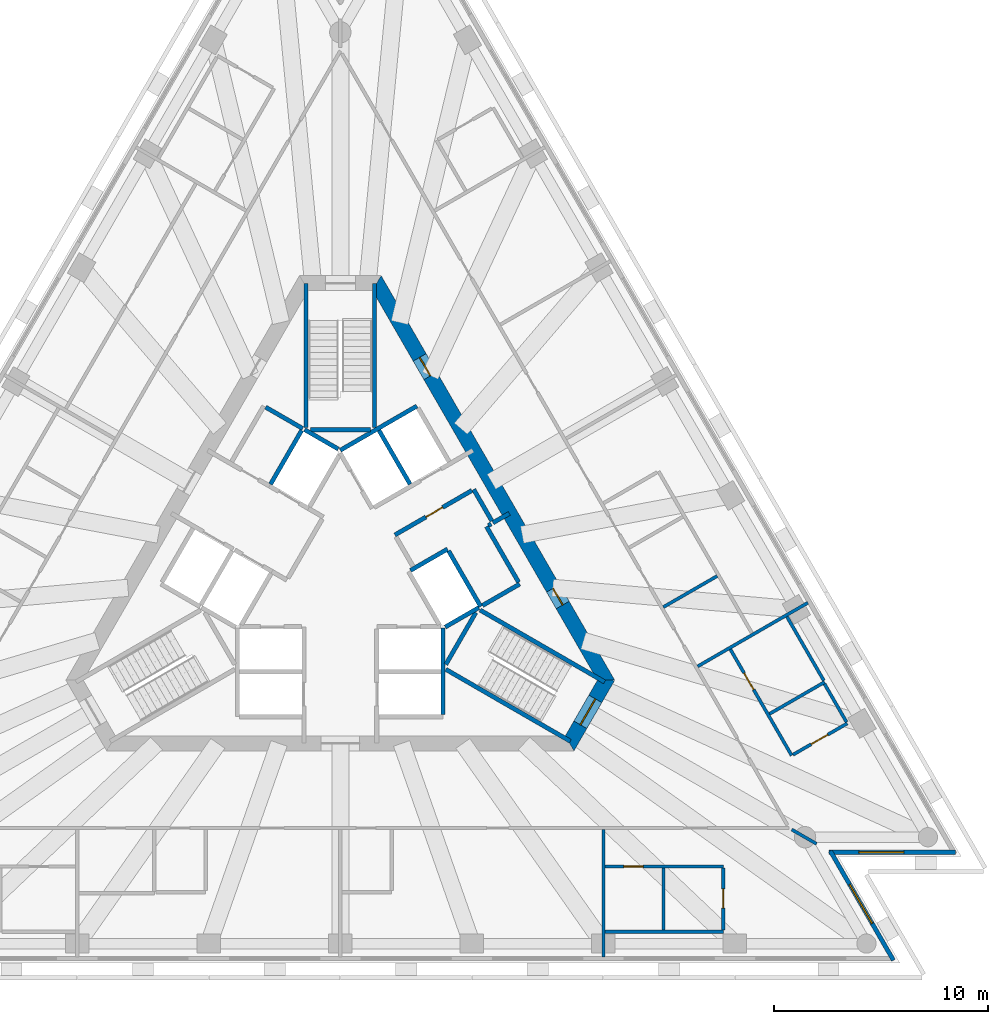
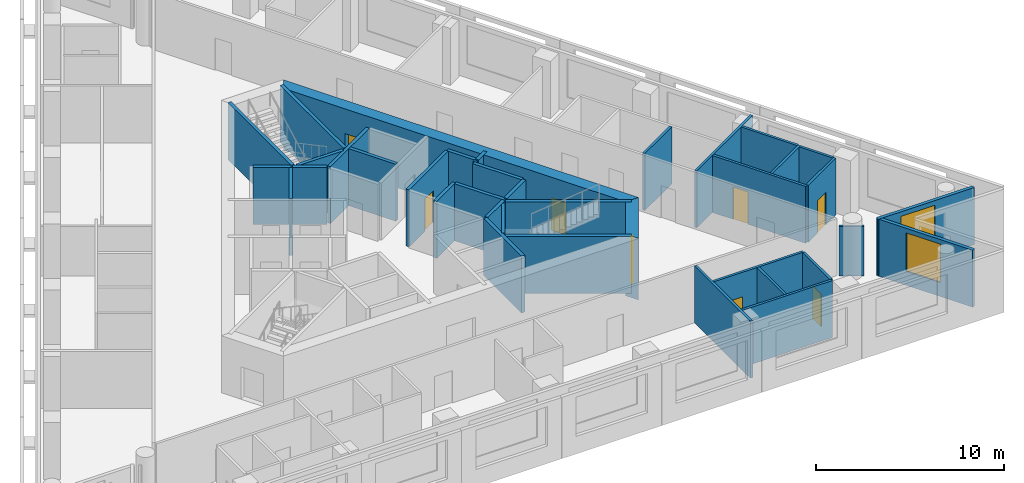
# One storey, part 5 of 9: 38 walls, 8 doors, 2 windows, 10 openings.
"""IFC4 building model written with IfcOpenShell, lengths in metres."""

from ifc_helpers import new_model, si_unit, direction, frame, frame_2d, origin, place, context, subcontext, project, spatial, polyline, rectangle, outline, extrude, material, layer, layer_set, layer_usage, type_object, element, fill, save


model = new_model("IFC4")

# Units and contexts
model_context = context("Model", 3, precision=1e-05, world=origin(), true_north=direction((0.0, 1.0)))
body_context = subcontext(model_context, "Body", "Model", "MODEL_VIEW")
ifc_project = project(units=[si_unit("LENGTHUNIT", "METRE"), si_unit("AREAUNIT", "SQUARE_METRE"), si_unit("VOLUMEUNIT", "CUBIC_METRE"), si_unit("PLANEANGLEUNIT", "RADIAN"), si_unit("MASSUNIT", "GRAM", prefix="KILO")], contexts=[model_context])

# Site, building, storey
site_placement = place(None, origin())
site = spatial("IfcSite", under=ifc_project, at=site_placement, CompositionType="ELEMENT")
building_placement = place(site_placement, origin())
building = spatial("IfcBuilding", under=site, at=building_placement, Name="Triada Interchange Tower", CompositionType="ELEMENT")
storey_placement = place(building_placement, frame((0.0, 0.0, 211.300048828125)))
storey = spatial("IfcBuildingStorey", under=building, at=storey_placement, Name="L49", CompositionType="ELEMENT", Elevation=211.300048828125)

# Walls
ifc_material_1 = material(Name="Concrete C30/37", Category="concrete")
ifc_layer_1 = layer(ifc_material_1, 0.199951171875)
ifc_layer_set_1 = layer_set([ifc_layer_1], Name="CORE WALL 200 EI 120")
wall_type_1 = type_object("IfcWallType", Name="CORE WALL 200 EI 120", PredefinedType="SOLIDWALL", material=ifc_layer_set_1)
wall_1_placement = place(storey_placement, frame((-0.001953125, 5.541015625, 0.0), z_axis=(0.0, 0.0, 1.0), x_axis=(0.86600155993, 0.500041296494, 0.0)))
element("IfcWall", 1, at=wall_1_placement, inside=storey, type_object=wall_type_1, Name="Wall L47 63", PredefinedType="SOLIDWALL", context=body_context, shape_type="SweptSolid", body=[
    extrude(rectangle(XDim=4.131591796875, YDim=0.199951171875, at=frame_2d((2.06591796875, 0.0))), origin(), (0.0, 0.0, 1.0), 3.699951171875),
])
wall_2_placement = place(storey_placement, frame((4.800048828125, -6.800048828125, 0.0), z_axis=(0.0, 0.0, 1.0), x_axis=(0.0, 1.0, 0.0)))
element("IfcWall", 2, at=wall_2_placement, inside=storey, type_object=wall_type_1, Name="Wall L47 68", PredefinedType="SOLIDWALL", context=body_context, shape_type="SweptSolid", body=[
    extrude(rectangle(XDim=4.029052734375, YDim=0.199951171875, at=frame_2d((2.0146484375, 0.0))), origin(), (0.0, 0.0, 1.0), 3.699951171875),
])
wall_3_placement = place(storey_placement, frame((3.278076171875, -0.071044921875, 0.0), z_axis=(0.0, 0.0, 1.0), x_axis=(0.865855657918, 0.500293893279, 0.0)))
element("IfcWall", 3, at=wall_3_placement, inside=storey, type_object=wall_type_1, Name="Wall L47 69", PredefinedType="SOLIDWALL", context=body_context, shape_type="SweptSolid", body=[
    extrude(rectangle(XDim=1.996826171875, YDim=0.199951171875, at=frame_2d((0.99853515625, 0.0))), origin(), (0.0, 0.0, 1.0), 3.699951171875),
])
wall_4_placement = place(storey_placement, frame((7.12890625, 2.153076171875, 0.0), z_axis=(0.0, 0.0, 1.0), x_axis=(0.866083962871, 0.499898558967, 0.0)))
element("IfcWall", 4, at=wall_4_placement, inside=storey, type_object=wall_type_1, Name="Wall L47 70", PredefinedType="SOLIDWALL", context=body_context, shape_type="SweptSolid", body=[
    extrude(rectangle(XDim=0.880126953125, YDim=0.199951171875, at=frame_2d((0.43994140625, 0.0))), origin(), (0.0, 0.0, 1.0), 3.699951171875),
])
wall_5_placement = place(storey_placement, frame((1.806884765625, 6.469970703125, 0.0), z_axis=(0.0, 0.0, 1.0), x_axis=(0.50012328804, -0.865954211699, 0.0)))
element("IfcWall", 5, at=wall_5_placement, inside=storey, type_object=wall_type_1, Name="Wall L47 72", PredefinedType="SOLIDWALL", context=body_context, shape_type="SweptSolid", body=[
    extrude(rectangle(XDim=2.899658203125, YDim=0.199951171875, at=frame_2d((1.44970703125, 0.0))), origin(), (0.0, 0.0, 1.0), 3.699951171875),
])
wall_6_placement = place(storey_placement, frame((5.056884765625, 0.841064453125, 0.0), z_axis=(0.0, 0.0, 1.0), x_axis=(0.499990139034, -0.866031096941, 0.0)))
element("IfcWall", 6, at=wall_6_placement, inside=storey, type_object=wall_type_1, Name="Wall L47 73", PredefinedType="SOLIDWALL", context=body_context, shape_type="SweptSolid", body=[
    extrude(rectangle(XDim=3.0, YDim=0.199951171875, at=frame_2d((1.5, 0.0))), origin(), (0.0, 0.0, 1.0), 3.699951171875),
])
wall_7_placement = place(storey_placement, frame((4.89990234375, -2.714111328125, 0.0), z_axis=(0.0, 0.0, 1.0), x_axis=(0.865846928409, 0.500309001083, 0.0)))
element("IfcWall", 7, at=wall_7_placement, inside=storey, type_object=wall_type_1, Name="Wall L47 74", PredefinedType="SOLIDWALL", context=body_context, shape_type="SweptSolid", body=[
    extrude(rectangle(XDim=1.813232421875, YDim=0.199951171875, at=frame_2d((0.90673828125, 0.0))), origin(), (0.0, 0.0, 1.0), 3.699951171875),
])
wall_8_placement = place(storey_placement, frame((6.22900390625, 3.7119140625, 0.0), z_axis=(0.0, 0.0, 1.0), x_axis=(0.499875724984, -0.86609714211, 0.0)))
element("IfcWall", 8, at=wall_8_placement, inside=storey, type_object=wall_type_1, Name="Wall L47 75", PredefinedType="SOLIDWALL", context=body_context, shape_type="SweptSolid", body=[
    extrude(rectangle(XDim=1.70068359375, YDim=0.199951171875, at=frame_2d((0.850341796875, 0.0))), origin(), (0.0, 0.0, 1.0), 3.699951171875),
])

# Wall, opening, door
wall_9_placement = place(storey_placement, frame((2.548095703125, 1.5869140625, 0.0), z_axis=(0.0, 0.0, 1.0), x_axis=(0.866004344652, 0.500036473714, 0.0)))
wall_9 = element("IfcWall", 9, at=wall_9_placement, inside=storey, type_object=wall_type_1, Name="Wall L47 76", PredefinedType="SOLIDWALL", context=body_context, shape_type="SweptSolid", body=[
    extrude(rectangle(XDim=4.150146484375, YDim=0.199951171875, at=frame_2d((2.0751953125, 0.0))), origin(), (0.0, 0.0, 1.0), 3.699951171875),
])
opening_1_placement = place(wall_9_placement, frame((1.675048828125, 0.0, 0.0)))
opening_1 = element("IfcOpeningElement", 10, at=opening_1_placement, cuts=wall_9, Name="Opening D47-51", PredefinedType="OPENING", context=body_context, shape_type="SweptSolid", body=[
    extrude(rectangle(XDim=0.89990234375, YDim=2.10009765625, at=frame_2d((0.449951171875, 1.050048828125))), frame((0.0, 0.10986328125, 0.0), z_axis=(0.0, -1.0, 0.0), x_axis=(1.0, 0.0, 0.0)), (0.0, 0.0, 1.0), 0.219970703125),
])
ifc_material_2 = material(Name="Steel S235 door leaf", Category="steel")
door_type_1 = type_object("IfcDoorType", Name="SERVICE DOOR 900 EI2 45-C5S200", OperationType="NOTDEFINED", PredefinedType="DOOR", material=ifc_material_2)
door_1_placement = place(opening_1_placement, origin())
door_1 = element("IfcDoor", 11, at=door_1_placement, inside=storey, type_object=door_type_1, Name="Door D47-51 L49", OperationType="SINGLE_SWING_RIGHT", OverallHeight=2.10009765625, OverallWidth=0.89990234375, PredefinedType="DOOR", context=body_context, shape_type="SweptSolid", body=[
    extrude(rectangle(XDim=0.89990234375, YDim=2.10009765625, at=frame_2d((0.449951171875, 1.050048828125))), frame((0.0, 0.02490234375, 0.0), z_axis=(0.0, -1.0, 0.0), x_axis=(1.0, 0.0, 0.0)), (0.0, 0.0, 1.0), 0.050048828125),
])
fill(opening_1, door_1)

# Walls
ifc_layer_2 = layer(ifc_material_1, 0.199951171875)
ifc_layer_set_2 = layer_set([ifc_layer_2], Name="CORE WALL 200 EI 180")
wall_type_2 = type_object("IfcWallType", Name="CORE WALL 200 EI 180", PredefinedType="SOLIDWALL", material=ifc_layer_set_2)
wall_10_placement = place(storey_placement, frame((-3.489013671875, 7.556884765625, 0.0), z_axis=(0.0, 0.0, 1.0), x_axis=(0.866010750942, -0.50002537861, 0.0)))
element("IfcWall", 12, at=wall_10_placement, inside=storey, type_object=wall_type_2, Name="Wall L47 83", PredefinedType="SOLIDWALL", context=body_context, shape_type="SweptSolid", body=[
    extrude(rectangle(XDim=2.0, YDim=0.199951171875, at=frame_2d((1.0, 0.0))), origin(), (0.0, 0.0, 1.0), 3.699951171875),
])
wall_11_placement = place(storey_placement, frame((-3.257080078125, 3.958984375, 0.0), z_axis=(0.0, 0.0, 1.0), x_axis=(0.50012328804, 0.865954211699, 0.0)))
element("IfcWall", 13, at=wall_11_placement, inside=storey, type_object=wall_type_2, Name="Shaft wall FF2 L47 90", PredefinedType="SOLIDWALL", context=body_context, shape_type="SweptSolid", body=[
    extrude(rectangle(XDim=2.899658203125, YDim=0.199951171875, at=frame_2d((1.44970703125, 0.0))), origin(), (0.0, 0.0, 1.0), 3.699951171875),
])
wall_12_placement = place(storey_placement, frame((-1.669921875, 6.507080078125, 0.0), z_axis=(0.0, 0.0, 1.0), x_axis=(0.865941441609, -0.500145398563, 0.0)))
element("IfcWall", 14, at=wall_12_placement, inside=storey, type_object=wall_type_2, Name="Shaft wall FF2 L47 91", PredefinedType="SOLIDWALL", context=body_context, shape_type="SweptSolid", body=[
    extrude(rectangle(XDim=1.8154296875, YDim=0.199951171875, at=frame_2d((0.90771484375, 0.0))), origin(), (0.0, 0.0, 1.0), 3.699951171875),
])
ifc_layer_3 = layer(ifc_material_1, 0.199951171875)
ifc_layer_set_3 = layer_set([ifc_layer_3], Name="CORE WALL 200 EI 90")
wall_type_3 = type_object("IfcWallType", Name="CORE WALL 200 EI 90", PredefinedType="SOLIDWALL", material=ifc_layer_set_3)
wall_13_placement = place(storey_placement, frame((6.64208984375, -1.7080078125, 0.0), z_axis=(0.0, 0.0, 1.0), x_axis=(0.866043441391, 0.499968756647, 0.0)))
element("IfcWall", 15, at=wall_13_placement, inside=storey, type_object=wall_type_3, Name="Wall L47 93", PredefinedType="SOLIDWALL", context=body_context, shape_type="SweptSolid", body=[
    extrude(rectangle(XDim=2.002197265625, YDim=0.199951171875, at=frame_2d((1.0009765625, 0.0))), origin(), (0.0, 0.0, 1.0), 3.699951171875),
])
wall_14_placement = place(storey_placement, frame((6.825927734375, 1.97802734375, 0.0), z_axis=(0.0, 0.0, 1.0), x_axis=(0.499990139034, -0.866031096941, 0.0)))
element("IfcWall", 16, at=wall_14_placement, inside=storey, type_object=wall_type_3, Name="Wall L47 94", PredefinedType="SOLIDWALL", context=body_context, shape_type="SweptSolid", body=[
    extrude(rectangle(XDim=3.0, YDim=0.199951171875, at=frame_2d((1.5, 0.0))), origin(), (0.0, 0.0, 1.0), 3.699951171875),
])
wall_15_placement = place(storey_placement, frame((6.912109375, 2.028076171875, 0.0), z_axis=(0.0, 0.0, 1.0), x_axis=(0.866559367082, 0.499074005857, 0.0)))
element("IfcWall", 17, at=wall_15_placement, inside=storey, type_object=wall_type_3, Name="Wall L47 95", PredefinedType="SOLIDWALL", context=body_context, shape_type="SweptSolid", body=[
    extrude(rectangle(XDim=0.152099609375, YDim=0.199951171875, at=frame_2d((0.076171875, 0.0))), origin(), (0.0, 0.0, 1.0), 3.699951171875),
])
ifc_layer_4 = layer(ifc_material_1, 0.199951171875)
ifc_layer_set_4 = layer_set([ifc_layer_4], Name="CORE WALL 200 REI 240")
wall_type_4 = type_object("IfcWallType", Name="CORE WALL 200 REI 240", PredefinedType="SOLIDWALL", material=ifc_layer_set_4)
wall_16_placement = place(storey_placement, frame((1.60009765625, 6.614990234375, 0.0), z_axis=(0.0, 0.0, 1.0), x_axis=(0.0, 1.0, 0.0)))
element("IfcWall", 18, at=wall_16_placement, inside=storey, type_object=wall_type_4, Name="Wall L47 99", PredefinedType="SOLIDWALL", context=body_context, shape_type="SweptSolid", body=[
    extrude(rectangle(XDim=6.715087890625, YDim=0.199951171875, at=frame_2d((3.357421875, 0.0))), origin(), (0.0, 0.0, 1.0), 3.699951171875),
])
wall_17_placement = place(storey_placement, frame((-1.39990234375, 6.5, 0.0), z_axis=(0.0, 0.0, 1.0), x_axis=(1.0, 0.0, 0.0)))
element("IfcWall", 19, at=wall_17_placement, inside=storey, type_object=wall_type_4, Name="Wall L47 100", PredefinedType="SOLIDWALL", context=body_context, shape_type="SweptSolid", body=[
    extrude(rectangle(XDim=2.7998046875, YDim=0.199951171875, at=frame_2d((1.39990234375, 0.0))), origin(), (0.0, 0.0, 1.0), 3.699951171875),
])
wall_18_placement = place(storey_placement, frame((-1.60009765625, 6.614990234375, 0.0), z_axis=(0.0, 0.0, 1.0), x_axis=(0.0, 1.0, 0.0)))
element("IfcWall", 20, at=wall_18_placement, inside=storey, type_object=wall_type_4, Name="Wall L47 101", PredefinedType="SOLIDWALL", context=body_context, shape_type="SweptSolid", body=[
    extrude(rectangle(XDim=6.715087890625, YDim=0.199951171875, at=frame_2d((3.357421875, 0.0))), origin(), (0.0, 0.0, 1.0), 3.699951171875),
])
wall_19_placement = place(storey_placement, frame((4.928955078125, -4.693115234375, 0.0), z_axis=(0.0, 0.0, 1.0), x_axis=(0.865983344943, -0.500072840975, 0.0)))
element("IfcWall", 21, at=wall_19_placement, inside=storey, type_object=wall_type_4, Name="Wall L47 102", PredefinedType="SOLIDWALL", context=body_context, shape_type="SweptSolid", body=[
    extrude(rectangle(XDim=6.71484375, YDim=0.199951171875, at=frame_2d((3.357421875, 0.0))), origin(), (0.0, 0.0, 1.0), 3.699951171875),
])
wall_20_placement = place(storey_placement, frame((4.928955078125, -4.4619140625, 0.0), z_axis=(0.0, 0.0, 1.0), x_axis=(0.500200581029, 0.865909567298, 0.0)))
element("IfcWall", 22, at=wall_20_placement, inside=storey, type_object=wall_type_4, Name="Wall L47 103", PredefinedType="SOLIDWALL", context=body_context, shape_type="SweptSolid", body=[
    extrude(rectangle(XDim=2.799072265625, YDim=0.199951171875, at=frame_2d((1.3994140625, 0.0))), origin(), (0.0, 0.0, 1.0), 3.699951171875),
])
wall_21_placement = place(storey_placement, frame((6.529052734375, -1.922119140625, 0.0), z_axis=(0.0, 0.0, 1.0), x_axis=(0.866046323291, -0.499963764601, 0.0)))
element("IfcWall", 23, at=wall_21_placement, inside=storey, type_object=wall_type_4, Name="Wall L47 104", PredefinedType="SOLIDWALL", context=body_context, shape_type="SweptSolid", body=[
    extrude(rectangle(XDim=6.71435546875, YDim=0.199951171875, at=frame_2d((3.357177734375, 0.0))), origin(), (0.0, 0.0, 1.0), 3.699951171875),
])

# Wall, opening, door
ifc_material_3 = material(Name="Concrete C50/60", Category="concrete")
ifc_layer_5 = layer(ifc_material_3, 0.699951171875)
ifc_layer_set_5 = layer_set([ifc_layer_5], Name="Core wall C 700")
wall_type_5 = type_object("IfcWallType", Name="Core wall C 700", PredefinedType="SHEAR", material=ifc_layer_set_5)
wall_22_placement = place(storey_placement, frame((10.7099609375, -8.14990234375, -0.300048828125), z_axis=(0.0, 0.0, 1.0), x_axis=(0.49999337185, 0.866029230515, 0.0)))
wall_22 = element("IfcWall", 24, at=wall_22_placement, inside=storey, type_object=wall_type_5, Name="Core wall WC05 L49", PredefinedType="SHEAR", context=body_context, shape_type="SweptSolid", body=[
    extrude(outline(polyline([(-0.201904296875, -0.35009765625), (1.703125, -0.35009765625), (3.60791015625, -0.35009765625), (3.2041015625, 0.35009765625), (1.703125, 0.35009765625), (0.201904296875, 0.35009765625), (-0.201904296875, -0.35009765625)])), origin(), (0.0, 0.0, 1.0), 4.0),
])
opening_2_placement = place(wall_22_placement, frame((1.0029296875, 0.0, 0.300048828125)))
opening_2 = element("IfcOpeningElement", 25, at=opening_2_placement, cuts=wall_22, Name="Opening D47-46", PredefinedType="OPENING", context=body_context, shape_type="SweptSolid", body=[
    extrude(rectangle(XDim=1.39990234375, YDim=2.10009765625, at=frame_2d((0.699951171875, 1.050048828125))), frame((0.0, 0.360107421875, 0.0), z_axis=(0.0, -1.0, 0.0), x_axis=(1.0, 0.0, 0.0)), (0.0, 0.0, 1.0), 0.72021484375),
])
door_type_2 = type_object("IfcDoorType", Name="STAIR DOOR 1400 EI2 90-C5S200", OperationType="DOUBLE_DOOR_SINGLE_SWING", PredefinedType="DOOR", material=ifc_material_2)
door_2_placement = place(opening_2_placement, origin())
door_2 = element("IfcDoor", 26, at=door_2_placement, inside=storey, type_object=door_type_2, Name="Door D47-46 L49", OperationType="DOUBLE_DOOR_SINGLE_SWING", OverallHeight=2.10009765625, OverallWidth=1.39990234375, PredefinedType="DOOR", context=body_context, shape_type="SweptSolid", body=[
    extrude(rectangle(XDim=1.39990234375, YDim=2.10009765625, at=frame_2d((0.699951171875, 1.050048828125))), frame((0.0, 0.02490234375, 0.0), z_axis=(0.0, -1.0, 0.0), x_axis=(1.0, 0.0, 0.0)), (0.0, 0.0, 1.0), 0.050048828125),
])
fill(opening_2, door_2)

# Wall, openings, doors
wall_23_placement = place(storey_placement, frame((12.4130859375, -5.199951171875, -0.300048828125), z_axis=(0.0, 0.0, 1.0), x_axis=(-0.500011533395, 0.866018744874, 0.0)))
wall_23 = element("IfcWall", 27, at=wall_23_placement, inside=storey, type_object=wall_type_5, Name="Core wall WC06 L49", PredefinedType="SHEAR", context=body_context, shape_type="SweptSolid", body=[
    extrude(outline(polyline([(-0.201904296875, -0.35009765625), (1.781982421875, -0.35009765625), (3.76611328125, -0.35009765625), (5.75, -0.35009765625), (7.734130859375, -0.35009765625), (9.718017578125, -0.35009765625), (11.7021484375, -0.35009765625), (13.68603515625, -0.35009765625), (15.670166015625, -0.35009765625), (17.654052734375, -0.35009765625), (19.63818359375, -0.35009765625), (21.6220703125, -0.35009765625), (21.218017578125, 0.35009765625), (19.307373046875, 0.35009765625), (17.39697265625, 0.35009765625), (15.486328125, 0.35009765625), (13.57568359375, 0.35009765625), (11.665283203125, 0.35009765625), (9.754638671875, 0.35009765625), (7.84423828125, 0.35009765625), (5.93359375, 0.35009765625), (4.02294921875, 0.35009765625), (2.112548828125, 0.35009765625), (0.201904296875, 0.35009765625), (-0.201904296875, -0.35009765625)])), origin(), (0.0, 0.0, 1.0), 4.0),
])
opening_3_placement = place(wall_23_placement, frame((4.054931640625, 0.0, 0.300048828125)))
opening_3 = element("IfcOpeningElement", 28, at=opening_3_placement, cuts=wall_23, Name="Opening D47-48", PredefinedType="OPENING", context=body_context, shape_type="SweptSolid", body=[
    extrude(rectangle(XDim=0.89990234375, YDim=2.10009765625, at=frame_2d((0.449951171875, 1.050048828125))), frame((0.0, 0.360107421875, 0.0), z_axis=(0.0, -1.0, 0.0), x_axis=(1.0, 0.0, 0.0)), (0.0, 0.0, 1.0), 0.72021484375),
])
opening_4_placement = place(wall_23_placement, frame((16.4150390625, 0.0, 0.300048828125)))
opening_4 = element("IfcOpeningElement", 29, at=opening_4_placement, cuts=wall_23, Name="Opening D47-50", PredefinedType="OPENING", context=body_context, shape_type="SweptSolid", body=[
    extrude(rectangle(XDim=1.0, YDim=2.10009765625, at=frame_2d((0.5, 1.050048828125))), frame((0.0, 0.360107421875, 0.0), z_axis=(0.0, -1.0, 0.0), x_axis=(1.0, 0.0, 0.0)), (0.0, 0.0, 1.0), 0.72021484375),
])
door_type_3 = type_object("IfcDoorType", Name="RISER ACCESS DOOR 900 EI2 45-C5S200", OperationType="NOTDEFINED", PredefinedType="DOOR", material=ifc_material_2)
door_3_placement = place(opening_3_placement, origin())
door_3 = element("IfcDoor", 30, at=door_3_placement, inside=storey, type_object=door_type_3, Name="Door D47-48 L49", OperationType="SINGLE_SWING_RIGHT", OverallHeight=2.10009765625, OverallWidth=0.89990234375, PredefinedType="DOOR", context=body_context, shape_type="SweptSolid", body=[
    extrude(rectangle(XDim=0.89990234375, YDim=2.10009765625, at=frame_2d((0.449951171875, 1.050048828125))), frame((0.0, 0.02490234375, 0.0), z_axis=(0.0, -1.0, 0.0), x_axis=(1.0, 0.0, 0.0)), (0.0, 0.0, 1.0), 0.050048828125),
])
fill(opening_3, door_3)
door_type_4 = type_object("IfcDoorType", Name="SERVICE DOOR 1000 EI2 45-C5S200", OperationType="NOTDEFINED", PredefinedType="DOOR", material=ifc_material_2)
door_4_placement = place(opening_4_placement, origin())
door_4 = element("IfcDoor", 31, at=door_4_placement, inside=storey, type_object=door_type_4, Name="Door D47-50 L49", OperationType="SINGLE_SWING_RIGHT", OverallHeight=2.10009765625, OverallWidth=1.0, PredefinedType="DOOR", context=body_context, shape_type="SweptSolid", body=[
    extrude(rectangle(XDim=1.0, YDim=2.10009765625, at=frame_2d((0.5, 1.050048828125))), frame((0.0, 0.02490234375, 0.0), z_axis=(0.0, -1.0, 0.0), x_axis=(1.0, 0.0, 0.0)), (0.0, 0.0, 1.0), 0.050048828125),
])
fill(opening_4, door_4)

# Wall, opening, window
ifc_material_4 = material(Name="Cement board")
ifc_layer_6 = layer(ifc_material_4, 0.02001953125, Name="Cement board cladding")
ifc_material_5 = material(Name="Sheathing board")
ifc_layer_7 = layer(ifc_material_5, 0.014892578125, Name="Sheathing board")
ifc_material_6 = material(Name="Mineral wool")
ifc_layer_8 = layer(ifc_material_6, 0.14990234375, Name="Mineral wool between steel studs")
ifc_material_7 = material(Name="Gypsum board")
ifc_layer_9 = layer(ifc_material_7, 0.014892578125, Name="Plasterboard lining")
ifc_layer_set_6 = layer_set([ifc_layer_6, ifc_layer_7, ifc_layer_8, ifc_layer_9], Name="External wall 200")
ifc_layer_usage = layer_usage(ifc_layer_set_6, "AXIS2", "POSITIVE", -0.10009765625)
wall_type_6 = type_object("IfcWallType", Name="External wall 200", PredefinedType="ELEMENTEDWALL", material=ifc_layer_set_6)
wall_24_placement = place(storey_placement, frame((25.8349609375, -18.280029296875, 0.0), z_axis=(0.0, 0.0, 1.0), x_axis=(-0.499989993172, 0.866031181152, 0.0)))
wall_24 = element("IfcWall", 32, at=wall_24_placement, inside=storey, type_object=wall_type_6, material=ifc_layer_usage, Name="External wall L49 SE-1", PredefinedType="ELEMENTEDWALL", context=body_context, shape_type="SweptSolid", body=[
    extrude(rectangle(XDim=5.89794921875, YDim=0.199951171875, at=frame_2d((2.948974609375, 0.0))), origin(), (0.0, 0.0, 1.0), 3.699951171875),
])
opening_5_placement = place(wall_24_placement, frame((1.989990234375, 0.0, 0.89990234375)))
opening_5 = element("IfcOpeningElement", 33, at=opening_5_placement, cuts=wall_24, Name="Opening WC19", PredefinedType="OPENING", context=body_context, shape_type="SweptSolid", body=[
    extrude(rectangle(XDim=2.10009765625, YDim=2.5, at=frame_2d((1.050048828125, 1.25))), frame((0.0, 0.10986328125, 0.0), z_axis=(0.0, -1.0, 0.0), x_axis=(1.0, 0.0, 0.0)), (0.0, 0.0, 1.0), 0.219970703125),
])
ifc_material_8 = material(Name="Double glazed aluminium window", Category="aluminium")
window_type = type_object("IfcWindowType", Name="Ribbon window C pocket", PartitioningType="SINGLE_PANEL", PredefinedType="WINDOW", material=ifc_material_8)
window_1_placement = place(opening_5_placement, origin())
window_1 = element("IfcWindow", 34, at=window_1_placement, inside=storey, type_object=window_type, Name="Window L49 SE-1 1", OverallHeight=2.5, OverallWidth=2.10009765625, PartitioningType="SINGLE_PANEL", PredefinedType="WINDOW", context=body_context, shape_type="SweptSolid", body=[
    extrude(rectangle(XDim=2.10009765625, YDim=2.5, at=frame_2d((1.050048828125, 1.25))), frame((0.0, 0.030029296875, 0.0), z_axis=(0.0, -1.0, 0.0), x_axis=(1.0, 0.0, 0.0)), (0.0, 0.0, 1.0), 0.06005859375),
])
fill(opening_5, window_1)

wall_25_placement = place(storey_placement, frame((22.8310546875, -13.23291015625, 0.0), z_axis=(0.0, 0.0, 1.0), x_axis=(1.0, 0.0, 0.0)))
wall_25 = element("IfcWall", 35, at=wall_25_placement, inside=storey, type_object=wall_type_6, material=ifc_layer_usage, Name="External wall L49 SE-2", PredefinedType="ELEMENTEDWALL", context=body_context, shape_type="SweptSolid", body=[
    extrude(rectangle(XDim=5.89794921875, YDim=0.199951171875, at=frame_2d((2.948974609375, 0.0))), origin(), (0.0, 0.0, 1.0), 3.699951171875),
])
opening_6_placement = place(wall_25_placement, frame((1.389892578125, 0.0, 0.89990234375)))
opening_6 = element("IfcOpeningElement", 36, at=opening_6_placement, cuts=wall_25, Name="Opening WC20", PredefinedType="OPENING", context=body_context, shape_type="SweptSolid", body=[
    extrude(rectangle(XDim=2.10009765625, YDim=2.5, at=frame_2d((1.050048828125, 1.25))), frame((0.0, 0.10986328125, 0.0), z_axis=(0.0, -1.0, 0.0), x_axis=(1.0, 0.0, 0.0)), (0.0, 0.0, 1.0), 0.219970703125),
])
window_2_placement = place(opening_6_placement, origin())
window_2 = element("IfcWindow", 37, at=window_2_placement, inside=storey, type_object=window_type, Name="Window L49 SE-2 1", OverallHeight=2.5, OverallWidth=2.10009765625, PartitioningType="SINGLE_PANEL", PredefinedType="WINDOW", context=body_context, shape_type="SweptSolid", body=[
    extrude(rectangle(XDim=2.10009765625, YDim=2.5, at=frame_2d((1.050048828125, 1.25))), frame((0.0, 0.030029296875, 0.0), z_axis=(0.0, -1.0, 0.0), x_axis=(1.0, 0.0, 0.0)), (0.0, 0.0, 1.0), 0.06005859375),
])
fill(opening_6, window_2)

# Walls
ifc_material_9 = material(Name="Gypsum board partition")
ifc_layer_10 = layer(ifc_material_9, 0.14990234375)
ifc_layer_set_7 = layer_set([ifc_layer_10], Name="PARTITION 150 EI 180")
wall_type_7 = type_object("IfcWallType", Name="PARTITION 150 EI 180", PredefinedType="PARTITIONING", material=ifc_layer_set_7)
wall_26_placement = place(storey_placement, frame((21.0869140625, -12.175048828125, 0.0), z_axis=(0.0, 0.0, 1.0), x_axis=(0.8662585361, -0.499595985407, 0.0)))
element("IfcWall", 38, at=wall_26_placement, inside=storey, type_object=wall_type_7, Name="Wall L47 10", PredefinedType="PARTITIONING", context=body_context, shape_type="SweptSolid", body=[
    extrude(rectangle(XDim=1.3369140625, YDim=0.14990234375, at=frame_2d((0.66845703125, 0.0))), origin(), (0.0, 0.0, 1.0), 3.199951171875),
])
wall_27_placement = place(storey_placement, frame((12.2890625, -18.1220703125, 0.0), z_axis=(0.0, 0.0, 1.0), x_axis=(0.0, 1.0, 0.0)))
element("IfcWall", 39, at=wall_27_placement, inside=storey, type_object=wall_type_7, Name="Wall L47 27", PredefinedType="PARTITIONING", context=body_context, shape_type="SweptSolid", body=[
    extrude(rectangle(XDim=5.947021484375, YDim=0.14990234375, at=frame_2d((2.9736328125, 0.0))), origin(), (0.0, 0.0, 1.0), 3.699951171875),
])
wall_28_placement = place(storey_placement, frame((15.087890625, -1.783935546875, 0.0), z_axis=(0.0, 0.0, 1.0), x_axis=(0.866034280428, 0.499984624887, 0.0)))
element("IfcWall", 40, at=wall_28_placement, inside=storey, type_object=wall_type_7, Name="Wall L47 29", PredefinedType="PARTITIONING", context=body_context, shape_type="SweptSolid", body=[
    extrude(rectangle(XDim=2.90185546875, YDim=0.14990234375, at=frame_2d((1.450927734375, 0.0))), origin(), (0.0, 0.0, 1.0), 3.699951171875),
])
wall_29_placement = place(storey_placement, frame((16.68798828125, -4.554931640625, 0.0), z_axis=(0.0, 0.0, 1.0), x_axis=(0.866034527326, 0.49998419723, 0.0)))
element("IfcWall", 41, at=wall_29_placement, inside=storey, type_object=wall_type_7, Name="Wall L47 30", PredefinedType="PARTITIONING", context=body_context, shape_type="SweptSolid", body=[
    extrude(rectangle(XDim=5.947998046875, YDim=0.14990234375, at=frame_2d((2.97412109375, 0.0))), origin(), (0.0, 0.0, 1.0), 3.699951171875),
])

# Wall, opening, door
ifc_layer_11 = layer(ifc_material_9, 0.14990234375)
ifc_layer_set_8 = layer_set([ifc_layer_11], Name="PARTITION 150 EI 90")
wall_type_8 = type_object("IfcWallType", Name="PARTITION 150 EI 90", PredefinedType="PARTITIONING", material=ifc_layer_set_8)
wall_30_placement = place(storey_placement, frame((12.364013671875, -13.89990234375, 0.0), z_axis=(0.0, 0.0, 1.0), x_axis=(1.0, 0.0, 0.0)))
wall_30 = element("IfcWall", 42, at=wall_30_placement, inside=storey, type_object=wall_type_8, Name="Wall L47 33", PredefinedType="PARTITIONING", context=body_context, shape_type="SweptSolid", body=[
    extrude(rectangle(XDim=5.52490234375, YDim=0.14990234375, at=frame_2d((2.762451171875, 0.0))), origin(), (0.0, 0.0, 1.0), 3.699951171875),
])
opening_7_placement = place(wall_30_placement, frame((0.875, 0.0, 0.0)))
opening_7 = element("IfcOpeningElement", 43, at=opening_7_placement, cuts=wall_30, Name="Opening D47-20", PredefinedType="OPENING", context=body_context, shape_type="SweptSolid", body=[
    extrude(rectangle(XDim=0.89990234375, YDim=2.10009765625, at=frame_2d((0.449951171875, 1.050048828125))), frame((0.0, 0.0849609375, 0.0), z_axis=(0.0, -1.0, 0.0), x_axis=(1.0, 0.0, 0.0)), (0.0, 0.0, 1.0), 0.169921875),
])
door_type_5 = type_object("IfcDoorType", Name="ROOM DOOR 900 EI2 45-C5S200", OperationType="NOTDEFINED", PredefinedType="DOOR", material=ifc_material_2)
door_5_placement = place(opening_7_placement, origin())
door_5 = element("IfcDoor", 44, at=door_5_placement, inside=storey, type_object=door_type_5, Name="Door D47-20 L49", OperationType="SINGLE_SWING_RIGHT", OverallHeight=2.10009765625, OverallWidth=0.89990234375, PredefinedType="DOOR", context=body_context, shape_type="SweptSolid", body=[
    extrude(rectangle(XDim=0.89990234375, YDim=2.10009765625, at=frame_2d((0.449951171875, 1.050048828125))), frame((0.0, 0.02490234375, 0.0), z_axis=(0.0, -1.0, 0.0), x_axis=(1.0, 0.0, 0.0)), (0.0, 0.0, 1.0), 0.050048828125),
])
fill(opening_7, door_5)

# Wall
wall_31_placement = place(storey_placement, frame((12.364013671875, -16.950927734375, 0.0), z_axis=(0.0, 0.0, 1.0), x_axis=(1.0, 0.0, 0.0)))
element("IfcWall", 45, at=wall_31_placement, inside=storey, type_object=wall_type_8, Name="Wall L47 37", PredefinedType="PARTITIONING", context=body_context, shape_type="SweptSolid", body=[
    extrude(rectangle(XDim=5.52490234375, YDim=0.14990234375, at=frame_2d((2.762451171875, 0.0))), origin(), (0.0, 0.0, 1.0), 3.699951171875),
])

# Wall, opening, door
wall_32_placement = place(storey_placement, frame((17.888916015625, -16.8759765625, 0.0), z_axis=(0.0, 0.0, 1.0), x_axis=(0.0, 1.0, 0.0)))
wall_32 = element("IfcWall", 46, at=wall_32_placement, inside=storey, type_object=wall_type_8, Name="Wall L47 43", PredefinedType="PARTITIONING", context=body_context, shape_type="SweptSolid", body=[
    extrude(rectangle(XDim=2.90087890625, YDim=0.14990234375, at=frame_2d((1.450439453125, 0.0))), origin(), (0.0, 0.0, 1.0), 3.699951171875),
])
opening_8_placement = place(wall_32_placement, frame((1.02587890625, 0.0, 0.0)))
opening_8 = element("IfcOpeningElement", 47, at=opening_8_placement, cuts=wall_32, Name="Opening D47-21", PredefinedType="OPENING", context=body_context, shape_type="SweptSolid", body=[
    extrude(rectangle(XDim=0.89990234375, YDim=2.10009765625, at=frame_2d((0.449951171875, 1.050048828125))), frame((0.0, 0.0849609375, 0.0), z_axis=(0.0, -1.0, 0.0), x_axis=(1.0, 0.0, 0.0)), (0.0, 0.0, 1.0), 0.169921875),
])
door_6_placement = place(opening_8_placement, origin())
door_6 = element("IfcDoor", 48, at=door_6_placement, inside=storey, type_object=door_type_5, Name="Door D47-21 L49", OperationType="SINGLE_SWING_LEFT", OverallHeight=2.10009765625, OverallWidth=0.89990234375, PredefinedType="DOOR", context=body_context, shape_type="SweptSolid", body=[
    extrude(rectangle(XDim=0.89990234375, YDim=2.10009765625, at=frame_2d((0.449951171875, 1.050048828125))), frame((0.0, 0.02490234375, 0.0), z_axis=(0.0, -1.0, 0.0), x_axis=(1.0, 0.0, 0.0)), (0.0, 0.0, 1.0), 0.050048828125),
])
fill(opening_8, door_6)

# Walls
wall_33_placement = place(storey_placement, frame((15.089111328125, -16.8759765625, 0.0), z_axis=(0.0, 0.0, 1.0), x_axis=(0.0, 1.0, 0.0)))
element("IfcWall", 49, at=wall_33_placement, inside=storey, type_object=wall_type_8, Name="Wall L47 44", PredefinedType="PARTITIONING", context=body_context, shape_type="SweptSolid", body=[
    extrude(rectangle(XDim=2.90087890625, YDim=0.14990234375, at=frame_2d((1.450439453125, 0.0))), origin(), (0.0, 0.0, 1.0), 3.699951171875),
])
wall_34_placement = place(storey_placement, frame((20.047119140625, -6.77197265625, 0.0), z_axis=(0.0, 0.0, 1.0), x_axis=(0.865987462095, 0.500065711177, 0.0)))
element("IfcWall", 50, at=wall_34_placement, inside=storey, type_object=wall_type_8, Name="Wall L47 45", PredefinedType="PARTITIONING", context=body_context, shape_type="SweptSolid", body=[
    extrude(rectangle(XDim=2.9755859375, YDim=0.14990234375, at=frame_2d((1.48779296875, 0.0))), origin(), (0.0, 0.0, 1.0), 3.699951171875),
])
wall_35_placement = place(storey_placement, frame((20.862060546875, -2.23193359375, 0.0), z_axis=(0.0, 0.0, 1.0), x_axis=(0.499936846106, -0.866061862632, 0.0)))
element("IfcWall", 51, at=wall_35_placement, inside=storey, type_object=wall_type_8, Name="Wall L47 47", PredefinedType="PARTITIONING", context=body_context, shape_type="SweptSolid", body=[
    extrude(rectangle(XDim=3.4501953125, YDim=0.14990234375, at=frame_2d((1.72509765625, 0.0))), origin(), (0.0, 0.0, 1.0), 3.699951171875),
])

# Wall, opening, door
wall_36_placement = place(storey_placement, frame((18.219970703125, -3.757080078125, 0.0), z_axis=(0.0, 0.0, 1.0), x_axis=(0.499941490393, -0.866059181686, 0.0)))
wall_36 = element("IfcWall", 52, at=wall_36_placement, inside=storey, type_object=wall_type_8, Name="Wall L47 49", PredefinedType="PARTITIONING", context=body_context, shape_type="SweptSolid", body=[
    extrude(rectangle(XDim=5.724853515625, YDim=0.14990234375, at=frame_2d((2.8623046875, 0.0))), origin(), (0.0, 0.0, 1.0), 3.699951171875),
])
opening_9_placement = place(wall_36_placement, frame((1.27490234375, 0.0, 0.0)))
opening_9 = element("IfcOpeningElement", 53, at=opening_9_placement, cuts=wall_36, Name="Opening D47-23", PredefinedType="OPENING", context=body_context, shape_type="SweptSolid", body=[
    extrude(rectangle(XDim=0.89990234375, YDim=2.10009765625, at=frame_2d((0.449951171875, 1.050048828125))), frame((0.0, 0.0849609375, 0.0), z_axis=(0.0, -1.0, 0.0), x_axis=(1.0, 0.0, 0.0)), (0.0, 0.0, 1.0), 0.169921875),
])
door_7_placement = place(opening_9_placement, origin())
door_7 = element("IfcDoor", 54, at=door_7_placement, inside=storey, type_object=door_type_5, Name="Door D47-23 L49", OperationType="SINGLE_SWING_LEFT", OverallHeight=2.10009765625, OverallWidth=0.89990234375, PredefinedType="DOOR", context=body_context, shape_type="SweptSolid", body=[
    extrude(rectangle(XDim=0.89990234375, YDim=2.10009765625, at=frame_2d((0.449951171875, 1.050048828125))), frame((0.0, 0.02490234375, 0.0), z_axis=(0.0, -1.0, 0.0), x_axis=(1.0, 0.0, 0.0)), (0.0, 0.0, 1.0), 0.050048828125),
])
fill(opening_9, door_7)

wall_37_placement = place(storey_placement, frame((21.14697265625, -8.677978515625, 0.0), z_axis=(0.0, 0.0, 1.0), x_axis=(0.865953438489, 0.500124626836, 0.0)))
wall_37 = element("IfcWall", 55, at=wall_37_placement, inside=storey, type_object=wall_type_8, Name="Wall L47 50", PredefinedType="PARTITIONING", context=body_context, shape_type="SweptSolid", body=[
    extrude(rectangle(XDim=2.925048828125, YDim=0.14990234375, at=frame_2d((1.46240234375, 0.0))), origin(), (0.0, 0.0, 1.0), 3.699951171875),
])
opening_10_placement = place(wall_37_placement, frame((0.97509765625, 0.0, 0.0)))
opening_10 = element("IfcOpeningElement", 56, at=opening_10_placement, cuts=wall_37, Name="Opening D47-24", PredefinedType="OPENING", context=body_context, shape_type="SweptSolid", body=[
    extrude(rectangle(XDim=0.89990234375, YDim=2.10009765625, at=frame_2d((0.449951171875, 1.050048828125))), frame((0.0, 0.0849609375, 0.0), z_axis=(0.0, -1.0, 0.0), x_axis=(1.0, 0.0, 0.0)), (0.0, 0.0, 1.0), 0.169921875),
])
door_8_placement = place(opening_10_placement, origin())
door_8 = element("IfcDoor", 57, at=door_8_placement, inside=storey, type_object=door_type_1, Name="Door D47-24 L49", OperationType="SINGLE_SWING_RIGHT", OverallHeight=2.10009765625, OverallWidth=0.89990234375, PredefinedType="DOOR", context=body_context, shape_type="SweptSolid", body=[
    extrude(rectangle(XDim=0.89990234375, YDim=2.10009765625, at=frame_2d((0.449951171875, 1.050048828125))), frame((0.0, 0.02490234375, 0.0), z_axis=(0.0, -1.0, 0.0), x_axis=(1.0, 0.0, 0.0)), (0.0, 0.0, 1.0), 0.050048828125),
])
fill(opening_10, door_8)

# Wall
wall_38_placement = place(storey_placement, frame((22.617919921875, -5.375, 0.0), z_axis=(0.0, 0.0, 1.0), x_axis=(0.50014860279, -0.865939590923, 0.0)))
element("IfcWall", 58, at=wall_38_placement, inside=storey, type_object=wall_type_8, Name="Wall L47 51", PredefinedType="PARTITIONING", context=body_context, shape_type="SweptSolid", body=[
    extrude(rectangle(XDim=2.0498046875, YDim=0.14990234375, at=frame_2d((1.02490234375, 0.0))), origin(), (0.0, 0.0, 1.0), 3.699951171875),
])

save(model, "model.ifc")
